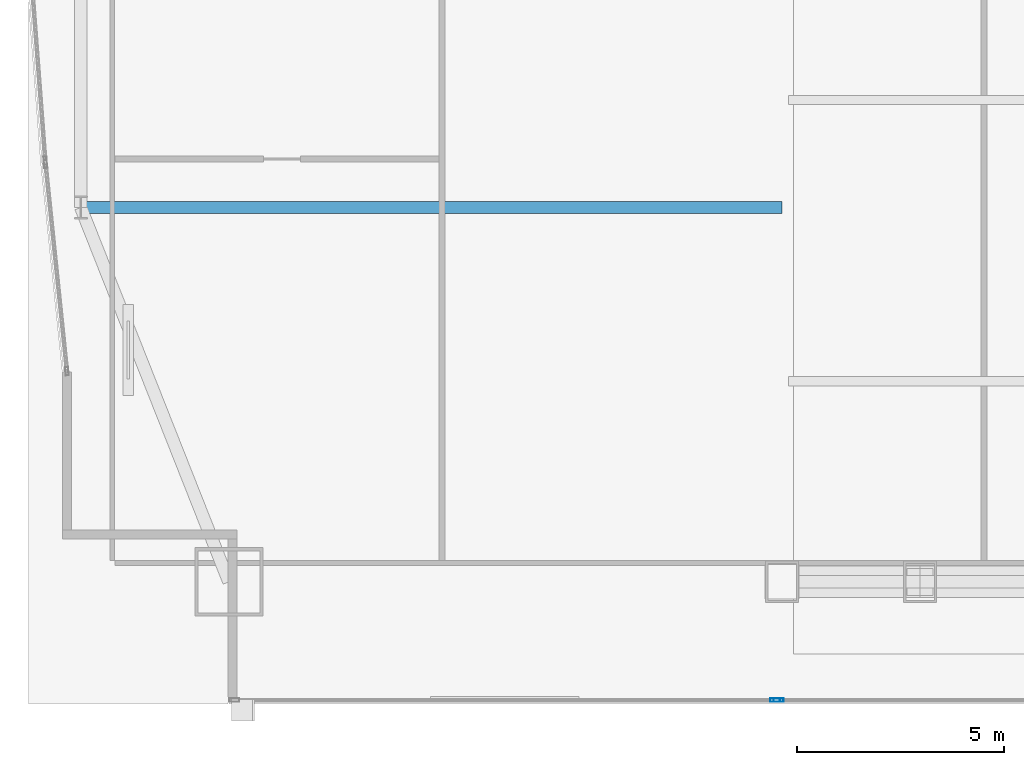
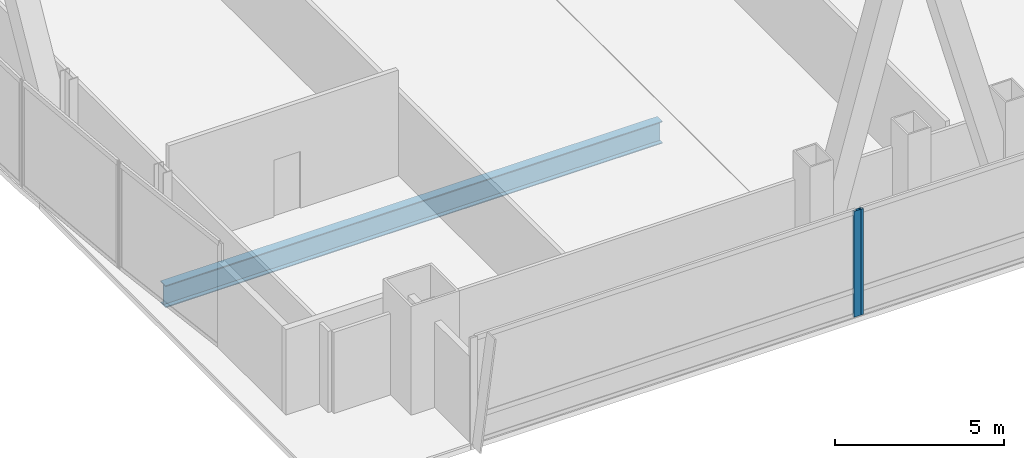
# One storey, part 7 of 35: 2 members, 1 beam, 2 elements without a shape of their own.
"""IFC4 building model written with IfcOpenShell, lengths in metres."""

from ifc_helpers import new_model, si_unit, direction, frame, origin, origin_2d, place, context, subcontext, project, spatial, hollow_rectangle, i_section, extrude, material, material_profile, profile_set, type_object, element, aggregate, save


model = new_model("IFC4")

# Units and contexts
model_context = context("Model", 3, precision=1e-05, world=origin(), true_north=direction((0.0, 1.0)))
body_context = subcontext(model_context, "Body", "Model", "MODEL_VIEW")
ifc_project = project(units=[si_unit("LENGTHUNIT", "METRE"), si_unit("AREAUNIT", "SQUARE_METRE"), si_unit("VOLUMEUNIT", "CUBIC_METRE"), si_unit("PLANEANGLEUNIT", "RADIAN"), si_unit("MASSUNIT", "GRAM", prefix="KILO")], contexts=[model_context])

# Site, building, storey
site_placement = place(None, origin())
site = spatial("IfcSite", under=ifc_project, at=site_placement, CompositionType="ELEMENT")
building_placement = place(site_placement, origin())
building = spatial("IfcBuilding", under=site, at=building_placement, Name="Khoronbel Lancet Exchange", CompositionType="ELEMENT")
storey_placement = place(building_placement, frame((0.0, 0.0, 25.800048828125)))
storey = spatial("IfcBuildingStorey", under=building, at=storey_placement, Name="L05", CompositionType="ELEMENT", Elevation=25.800048828125)

# Beam
ifc_material_1 = material(Name="Steel S355", Category="steel")
ifc_material_profile_1 = material_profile(ifc_material_1, i_section(OverallWidth=0.300048828125, OverallDepth=0.800048828125, WebThickness=0.017578125, FlangeThickness=0.032958984375, at=origin_2d()), Name="HEB 800")
ifc_profile_set_1 = profile_set([ifc_material_profile_1], Name="Steel S355")
beam_type = type_object("IfcBeamType", Name="BM-BG2", PredefinedType="BEAM", material=ifc_profile_set_1)
beam_placement = place(storey_placement, frame((1.27001953125, 19.199951171875, -0.580078125), z_axis=(1.0, 0.0, 0.0), x_axis=(0.0, 1.0, 0.0)))
element("IfcBeam", 1, at=beam_placement, inside=storey, type_object=beam_type, Name="Level L05 west lens tie girder LG1W", PredefinedType="BEAM", context=body_context, shape_type="SweptSolid", body=[
    extrude(i_section(OverallWidth=0.300048828125, OverallDepth=0.800048828125, WebThickness=0.017578125, FlangeThickness=0.032958984375, at=origin_2d()), origin(), (0.0, 0.0, 1.0), 16.955078125),
])

# Curtain wall, member
ifc_material_2 = material(Name="Low-E Solar Control Insulating Glass", Category="glass")
curtain_wall_type = type_object("IfcCurtainWallType", Name="CW-1", PredefinedType="NOTDEFINED", material=ifc_material_2)
curtain_wall_1_placement = place(storey_placement, origin())
curtain_wall_1 = element("IfcCurtainWall", 2, at=curtain_wall_1_placement, inside=storey, type_object=curtain_wall_type, Name="Unitised curtain wall CW-L05-SWV", PredefinedType="NOTDEFINED")
ifc_material_3 = material(Name="Bronze-Anodised Aluminium 6063-T6", Category="aluminium")
ifc_material_profile_2 = material_profile(ifc_material_3, hollow_rectangle(XDim=0.0849609375, YDim=0.239990234375, WallThickness=0.006103515625, at=origin_2d()), Name="ALU MULLION 85x240")
ifc_profile_set_2 = profile_set([ifc_material_profile_2], Name="Bronze-Anodised Aluminium 6063-T6")
member_type = type_object("IfcMemberType", Name="MEM-CWM1", PredefinedType="MULLION", material=ifc_profile_set_2)
member_1_placement = place(storey_placement, frame((18.0576171875, 7.2900390625, 0.0), z_axis=(0.0, 0.0, 1.0), x_axis=(0.0, 1.0, 0.0)))
member_1 = element("IfcMember", 3, at=member_1_placement, type_object=member_type, Name="CW1 mullion 2", PredefinedType="MULLION", context=body_context, shape_type="SweptSolid", body=[
    extrude(hollow_rectangle(XDim=0.0849609375, YDim=0.239990234375, WallThickness=0.006103515625, at=origin_2d()), origin(), (0.0, 0.0, 1.0), 3.820068359375),
])
aggregate(curtain_wall_1, [member_1])

curtain_wall_2_placement = place(storey_placement, origin())
curtain_wall_2 = element("IfcCurtainWall", 4, at=curtain_wall_2_placement, inside=storey, type_object=curtain_wall_type, Name="Unitised curtain wall CW-L05-SWB", PredefinedType="NOTDEFINED")
member_2_placement = place(storey_placement, frame((18.142578125, 7.2900390625, 0.0), z_axis=(0.0, 0.0, 1.0), x_axis=(0.0, 1.0, 0.0)))
member_2 = element("IfcMember", 5, at=member_2_placement, type_object=member_type, Name="CW1 mullion 1", PredefinedType="MULLION", context=body_context, shape_type="SweptSolid", body=[
    extrude(hollow_rectangle(XDim=0.0849609375, YDim=0.239990234375, WallThickness=0.006103515625, at=origin_2d()), origin(), (0.0, 0.0, 1.0), 3.820068359375),
])
aggregate(curtain_wall_2, [member_2])

save(model, "model.ifc")
